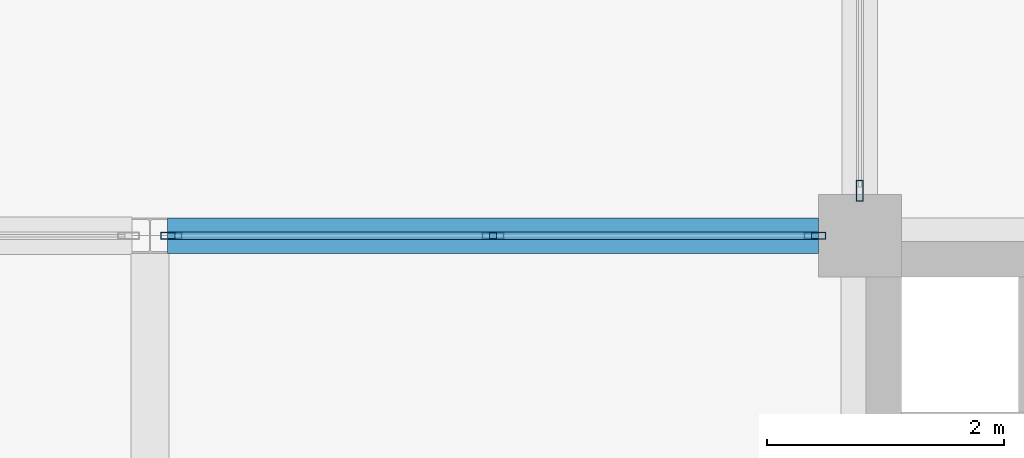
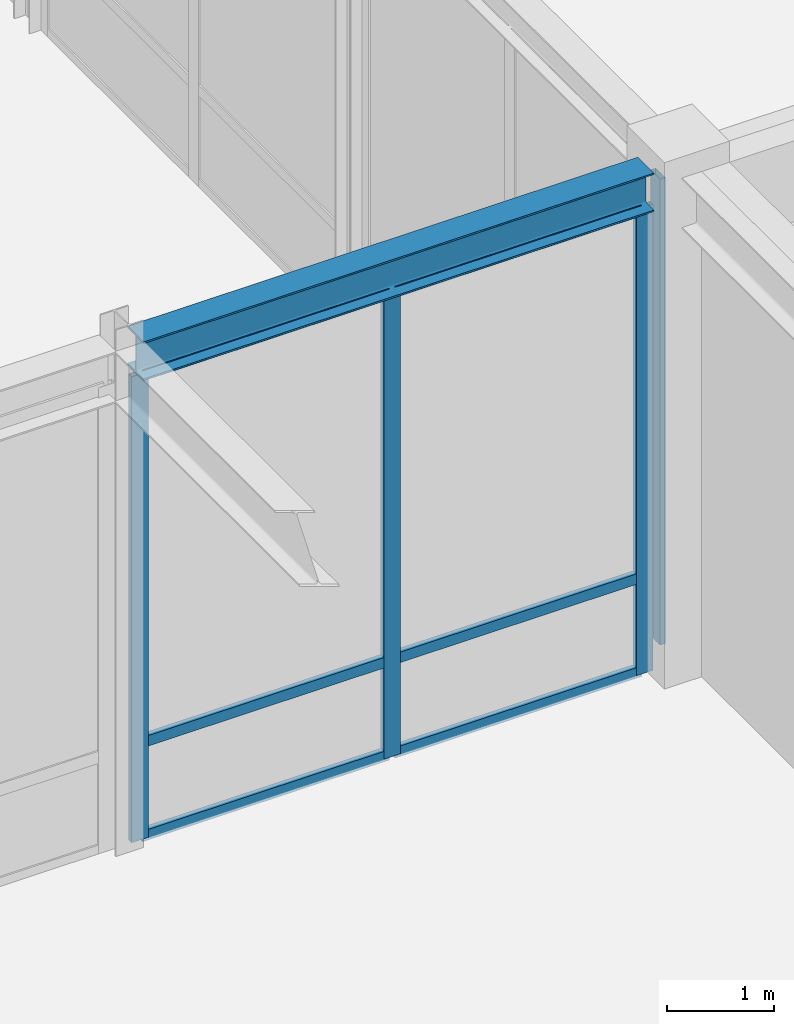
# One storey, part 83 of 108: 10 members, 1 beam, 2 elements without a shape of their own.
"""IFC4 building model written with IfcOpenShell, lengths in metres."""

from ifc_helpers import new_model, si_unit, direction, frame, origin, origin_2d, place, context, subcontext, project, spatial, hollow_rectangle, i_section, extrude, material, layer, layer_set, material_profile, profile_set, type_object, element, aggregate, save


model = new_model("IFC4")

# Units and contexts
model_context = context("Model", 3, precision=1e-05, world=origin(), true_north=direction((0.0, 1.0)))
body_context = subcontext(model_context, "Body", "Model", "MODEL_VIEW")
ifc_project = project(units=[si_unit("LENGTHUNIT", "METRE"), si_unit("AREAUNIT", "SQUARE_METRE"), si_unit("VOLUMEUNIT", "CUBIC_METRE"), si_unit("PLANEANGLEUNIT", "RADIAN"), si_unit("MASSUNIT", "GRAM", prefix="KILO")], contexts=[model_context])

# Site, building, storey
site_placement = place(None, origin())
site = spatial("IfcSite", under=ifc_project, at=site_placement, CompositionType="ELEMENT")
building_placement = place(site_placement, origin())
building = spatial("IfcBuilding", under=site, at=building_placement, Name="Zlatovratsky Civic Hall", CompositionType="ELEMENT")
storey_placement = place(building_placement, frame((0.0, 0.0, 6.0)))
storey = spatial("IfcBuildingStorey", under=building, at=storey_placement, Name="L02", CompositionType="ELEMENT", Elevation=6.0)

# Beam
ifc_material_1 = material(Name="Steel S355", Category="steel")
ifc_material_profile_1 = material_profile(ifc_material_1, i_section(OverallWidth=0.300048828125, OverallDepth=0.43994140625, WebThickness=0.010986328125, FlangeThickness=0.01806640625, FilletRadius=0.02197265625, at=origin_2d()), Name="45Sh1")
ifc_profile_set_1 = profile_set([ifc_material_profile_1], Name="Steel S355")
beam_type = type_object("IfcBeamType", Name="Beam_TowerLow_45Sh1", PredefinedType="BEAM", material=ifc_profile_set_1)
beam_placement = place(storey_placement, frame((144.14990234375, 30.0, 5.5400390625), z_axis=(1.0, 0.0, 0.0), x_axis=(0.0, 1.0, 0.0)))
element("IfcBeam", 1, at=beam_placement, inside=storey, type_object=beam_type, Name="BM-1798", PredefinedType="BEAM", context=body_context, shape_type="SweptSolid", body=[
    extrude(i_section(OverallWidth=0.300048828125, OverallDepth=0.43994140625, WebThickness=0.010986328125, FlangeThickness=0.01806640625, FilletRadius=0.02197265625, at=origin_2d()), origin(), (0.0, 0.0, 1.0), 5.5),
])

# Curtain wall, members
ifc_material_2 = material(Name="Anodised bronze aluminium", Category="aluminium")
ifc_layer = layer(ifc_material_2, 0.159912109375)
ifc_layer_set = layer_set([ifc_layer], Name="Anodised bronze aluminium")
curtain_wall_type = type_object("IfcCurtainWallType", Name="CurtainWall_Bronze_5500x5310_04", PredefinedType="NOTDEFINED", material=ifc_layer_set)
curtain_wall_1_placement = place(storey_placement, origin())
curtain_wall_1 = element("IfcCurtainWall", 2, at=curtain_wall_1_placement, inside=storey, type_object=curtain_wall_type, Name="CW-029", PredefinedType="NOTDEFINED")
ifc_material_profile_2 = material_profile(ifc_material_2, hollow_rectangle(XDim=0.06005859375, YDim=0.179931640625, WallThickness=0.00390625, at=origin_2d()), Name="ALU 60x180x4")
ifc_profile_set_2 = profile_set([ifc_material_profile_2], Name="Anodised bronze aluminium")
member_type_1 = type_object("IfcMemberType", Name="CW_Mullion_60x180", PredefinedType="MULLION", material=ifc_profile_set_2)
member_1_placement = place(storey_placement, frame((144.179931640625, 30.0, 0.0), z_axis=(0.0, 0.0, 1.0), x_axis=(0.0, 1.0, 0.0)))
member_1 = element("IfcMember", 3, at=member_1_placement, type_object=member_type_1, Name="CW-04 mullion 1", PredefinedType="MULLION", context=body_context, shape_type="SweptSolid", body=[
    extrude(hollow_rectangle(XDim=0.06005859375, YDim=0.179931640625, WallThickness=0.00390625, at=origin_2d()), origin(), (0.0, 0.0, 1.0), 5.31005859375),
])
member_2_placement = place(storey_placement, frame((146.89990234375, 30.0, 0.0), z_axis=(0.0, 0.0, 1.0), x_axis=(0.0, 1.0, 0.0)))
member_2 = element("IfcMember", 4, at=member_2_placement, type_object=member_type_1, Name="CW-04 mullion 2", PredefinedType="MULLION", context=body_context, shape_type="SweptSolid", body=[
    extrude(hollow_rectangle(XDim=0.06005859375, YDim=0.179931640625, WallThickness=0.00390625, at=origin_2d()), origin(), (0.0, 0.0, 1.0), 5.31005859375),
])
member_3_placement = place(storey_placement, frame((149.6201171875, 30.0, 0.0), z_axis=(0.0, 0.0, 1.0), x_axis=(0.0, 1.0, 0.0)))
member_3 = element("IfcMember", 5, at=member_3_placement, type_object=member_type_1, Name="CW-04 mullion 3", PredefinedType="MULLION", context=body_context, shape_type="SweptSolid", body=[
    extrude(hollow_rectangle(XDim=0.06005859375, YDim=0.179931640625, WallThickness=0.00390625, at=origin_2d()), origin(), (0.0, 0.0, 1.0), 5.31005859375),
])

# Curtain wall, member
curtain_wall_2_placement = place(storey_placement, origin())
curtain_wall_2 = element("IfcCurtainWall", 6, at=curtain_wall_2_placement, inside=storey, type_object=curtain_wall_type, Name="CW-039", PredefinedType="NOTDEFINED")
member_4_placement = place(storey_placement, frame((150.0, 30.3798828125, 0.0), z_axis=(0.0, 0.0, 1.0), x_axis=(-1.0, 0.0, 0.0)))
member_4 = element("IfcMember", 7, at=member_4_placement, type_object=member_type_1, Name="CW-04 mullion 1", PredefinedType="MULLION", context=body_context, shape_type="SweptSolid", body=[
    extrude(hollow_rectangle(XDim=0.06005859375, YDim=0.179931640625, WallThickness=0.00390625, at=origin_2d()), origin(), (0.0, 0.0, 1.0), 5.31005859375),
])
aggregate(curtain_wall_2, [member_4])

# Member
ifc_material_profile_3 = material_profile(ifc_material_2, hollow_rectangle(XDim=0.06005859375, YDim=0.1201171875, WallThickness=0.00390625, at=origin_2d()), Name="ALU 60x120x4")
ifc_profile_set_3 = profile_set([ifc_material_profile_3], Name="Anodised bronze aluminium")
member_type_2 = type_object("IfcMemberType", Name="CW_Transom_60x120", PredefinedType="USERDEFINED", material=ifc_profile_set_3)
member_5_placement = place(storey_placement, frame((144.2099609375, 30.0, 0.030029296875), z_axis=(1.0, 0.0, 0.0), x_axis=(0.0, 1.0, 0.0)))
member_5 = element("IfcMember", 8, at=member_5_placement, type_object=member_type_2, Name="CW-04 transom 1.1", ObjectType="TRANSOM", PredefinedType="USERDEFINED", context=body_context, shape_type="SweptSolid", body=[
    extrude(hollow_rectangle(XDim=0.06005859375, YDim=0.1201171875, WallThickness=0.00390625, at=origin_2d()), origin(), (0.0, 0.0, 1.0), 2.66015625),
])

member_6_placement = place(storey_placement, frame((144.2099609375, 30.0, 1.10009765625), z_axis=(1.0, 0.0, 0.0), x_axis=(0.0, 1.0, 0.0)))
member_6 = element("IfcMember", 9, at=member_6_placement, type_object=member_type_2, Name="CW-04 transom 1.2", ObjectType="TRANSOM", PredefinedType="USERDEFINED", context=body_context, shape_type="SweptSolid", body=[
    extrude(hollow_rectangle(XDim=0.06005859375, YDim=0.1201171875, WallThickness=0.00390625, at=origin_2d()), origin(), (0.0, 0.0, 1.0), 2.66015625),
])

member_7_placement = place(storey_placement, frame((144.2099609375, 30.0, 5.280029296875), z_axis=(1.0, 0.0, 0.0), x_axis=(0.0, 1.0, 0.0)))
member_7 = element("IfcMember", 10, at=member_7_placement, type_object=member_type_2, Name="CW-04 transom 1.3", ObjectType="TRANSOM", PredefinedType="USERDEFINED", context=body_context, shape_type="SweptSolid", body=[
    extrude(hollow_rectangle(XDim=0.06005859375, YDim=0.1201171875, WallThickness=0.00390625, at=origin_2d()), origin(), (0.0, 0.0, 1.0), 2.66015625),
])

member_8_placement = place(storey_placement, frame((146.929931640625, 30.0, 0.030029296875), z_axis=(1.0, 0.0, 0.0), x_axis=(0.0, 1.0, 0.0)))
member_8 = element("IfcMember", 11, at=member_8_placement, type_object=member_type_2, Name="CW-04 transom 2.1", ObjectType="TRANSOM", PredefinedType="USERDEFINED", context=body_context, shape_type="SweptSolid", body=[
    extrude(hollow_rectangle(XDim=0.06005859375, YDim=0.1201171875, WallThickness=0.00390625, at=origin_2d()), origin(), (0.0, 0.0, 1.0), 2.66015625),
])

member_9_placement = place(storey_placement, frame((146.929931640625, 30.0, 1.10009765625), z_axis=(1.0, 0.0, 0.0), x_axis=(0.0, 1.0, 0.0)))
member_9 = element("IfcMember", 12, at=member_9_placement, type_object=member_type_2, Name="CW-04 transom 2.2", ObjectType="TRANSOM", PredefinedType="USERDEFINED", context=body_context, shape_type="SweptSolid", body=[
    extrude(hollow_rectangle(XDim=0.06005859375, YDim=0.1201171875, WallThickness=0.00390625, at=origin_2d()), origin(), (0.0, 0.0, 1.0), 2.66015625),
])

member_10_placement = place(storey_placement, frame((146.929931640625, 30.0, 5.280029296875), z_axis=(1.0, 0.0, 0.0), x_axis=(0.0, 1.0, 0.0)))
member_10 = element("IfcMember", 13, at=member_10_placement, type_object=member_type_2, Name="CW-04 transom 2.3", ObjectType="TRANSOM", PredefinedType="USERDEFINED", context=body_context, shape_type="SweptSolid", body=[
    extrude(hollow_rectangle(XDim=0.06005859375, YDim=0.1201171875, WallThickness=0.00390625, at=origin_2d()), origin(), (0.0, 0.0, 1.0), 2.66015625),
])

aggregate(curtain_wall_1, [member_1, member_2, member_3, member_5, member_6, member_7, member_8, member_9, member_10])

save(model, "model.ifc")
